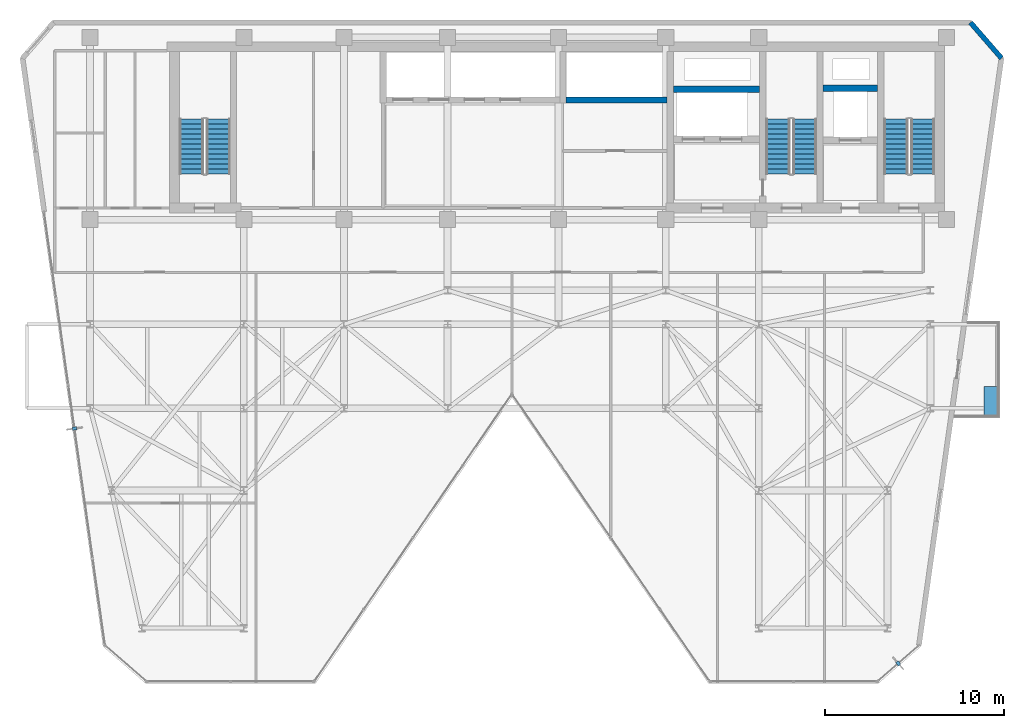
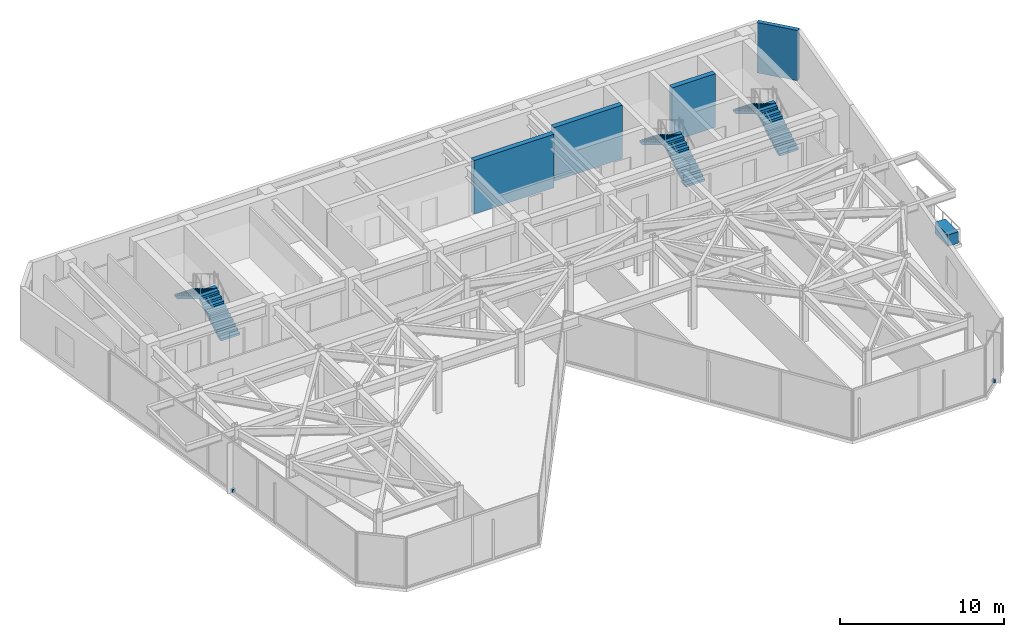
# One storey, part 24 of 26: 6 stair flights, 4 walls, 3 discrete accessories, 3 elements without a shape of their own.
"""IFC4 building model written with IfcOpenShell, lengths in metres."""

from ifc_helpers import new_model, si_unit, direction, frame, frame_2d, origin, origin_2d, place, context, subcontext, project, spatial, polyline, rectangle, outline, extrude, material, layer, layer_set, type_object, element, aggregate, save


model = new_model("IFC4")

# Units and contexts
model_context = context("Model", 3, precision=1e-05, world=origin(), true_north=direction((0.0, 1.0)))
body_context = subcontext(model_context, "Body", "Model", "MODEL_VIEW")
ifc_project = project(units=[si_unit("LENGTHUNIT", "METRE"), si_unit("AREAUNIT", "SQUARE_METRE"), si_unit("VOLUMEUNIT", "CUBIC_METRE"), si_unit("PLANEANGLEUNIT", "RADIAN"), si_unit("MASSUNIT", "GRAM", prefix="KILO")], contexts=[model_context])

# Site, building, storey
site_placement = place(None, origin())
site = spatial("IfcSite", under=ifc_project, at=site_placement, CompositionType="ELEMENT")
building_placement = place(site_placement, origin())
building = spatial("IfcBuilding", under=site, at=building_placement, Name="Kravanh Interchange Tower", CompositionType="ELEMENT")
storey_placement = place(building_placement, frame((0.0, 0.0, 172.5)))
storey = spatial("IfcBuildingStorey", under=building, at=storey_placement, Name="L41", CompositionType="ELEMENT", Elevation=172.5)

# Walls
ifc_material_1 = material(Name="Concrete C60/75", Category="concrete")
ifc_layer_1 = layer(ifc_material_1, 0.35009765625)
ifc_layer_set_1 = layer_set([ifc_layer_1], Name="Core Shear Wall Concrete C60/75 350mm")
wall_type_1 = type_object("IfcWallType", Name="Core Shear Wall Concrete C60/75 350mm", PredefinedType="SHEAR", material=ifc_layer_set_1)
wall_1_placement = place(storey_placement, frame((59.60009765625, 44.699951171875, 0.0), z_axis=(0.0, 0.0, 1.0), x_axis=(1.0, 0.0, 0.0)))
element("IfcWall", 1, at=wall_1_placement, inside=storey, type_object=wall_type_1, Name="L41 Service Lift Shaft North Wall", PredefinedType="SHEAR", context=body_context, shape_type="SweptSolid", body=[
    extrude(rectangle(XDim=3.0498046875, YDim=0.35009765625, at=frame_2d((1.52490234375, 0.0))), origin(), (0.0, 0.0, 1.0), 4.0),
])
wall_2_placement = place(storey_placement, frame((51.22509765625, 44.64990234375, 0.0), z_axis=(0.0, 0.0, 1.0), x_axis=(1.0, 0.0, 0.0)))
element("IfcWall", 2, at=wall_2_placement, inside=storey, type_object=wall_type_1, Name="L41 Fire Lift Shaft North Wall", PredefinedType="SHEAR", context=body_context, shape_type="SweptSolid", body=[
    extrude(rectangle(XDim=4.824951171875, YDim=0.35009765625, at=frame_2d((2.41259765625, 0.0))), origin(), (0.0, 0.0, 1.0), 4.0),
])
wall_3_placement = place(storey_placement, frame((45.22509765625, 44.050048828125, 0.0), z_axis=(0.0, 0.0, 1.0), x_axis=(1.0, 0.0, 0.0)))
element("IfcWall", 3, at=wall_3_placement, inside=storey, type_object=wall_type_1, Name="L41 High-Rise Lift Shaft South Wall", PredefinedType="SHEAR", context=body_context, shape_type="SweptSolid", body=[
    extrude(rectangle(XDim=5.64990234375, YDim=0.35009765625, at=frame_2d((2.824951171875, 0.0))), origin(), (0.0, 0.0, 1.0), 4.0),
])
ifc_material_2 = material(Name="Insulated Precast Concrete C40/50 with Bronze Cladding", Category="concrete")
ifc_layer_2 = layer(ifc_material_2, 0.280029296875)
ifc_layer_set_2 = layer_set([ifc_layer_2], Name="Exterior Insulated Concrete C40/50 Bronze Spandrel Wall 280mm")
wall_type_2 = type_object("IfcWallType", Name="Exterior Insulated Concrete C40/50 Bronze Spandrel Wall 280mm", PredefinedType="STANDARD", material=ifc_layer_set_2)
wall_4_placement = place(storey_placement, frame((67.84521484375, 48.3798828125, 0.0), z_axis=(0.0, 0.0, 1.0), x_axis=(0.656071351282, -0.754698868442, 0.0)))
element("IfcWall", 4, at=wall_4_placement, inside=storey, type_object=wall_type_2, Name="L41 Exterior Wall 4", PredefinedType="STANDARD", context=body_context, shape_type="SweptSolid", body=[
    extrude(rectangle(XDim=2.646240234375, YDim=0.280029296875, at=frame_2d((1.3232421875, 0.0))), origin(), (0.0, 0.0, 1.0), 3.7548828125),
])

# Stair, stair flights
ifc_material_3 = material(Name="Concrete C50/60", Category="concrete")
stair_type = type_object("IfcStairType", Name="Core Fire Exit Dogleg Stair Concrete C50/60", PredefinedType="HALF_TURN_STAIR", material=ifc_material_3)
stair_1_placement = place(storey_placement, origin())
stair_1 = element("IfcStair", 5, at=stair_1_placement, inside=storey, type_object=stair_type, Name="L41 Exit Stair ST1", PredefinedType="HALF_TURN_STAIR")
ifc_material_4 = material(Name="Precast Concrete C50/60", Category="concrete")
ifc_layer_3 = layer(ifc_material_4, 0.199951171875)
ifc_layer_set_3 = layer_set([ifc_layer_3], Name="Precast Concrete C50/60 Stair Flight 1350mm")
stair_flight_type = type_object("IfcStairFlightType", Name="Precast Concrete C50/60 Stair Flight 1350mm", PredefinedType="STRAIGHT", material=ifc_layer_set_3)
stair_flight_1_placement = place(storey_placement, frame((65.175048828125, 39.89990234375, 0.0), z_axis=(0.0, 0.0, 1.0), x_axis=(0.0, 1.0, 0.0)))
stair_flight_1 = element("IfcStairFlight", 6, at=stair_flight_1_placement, type_object=stair_flight_type, Name="ST1 flight 1", NumberOfRisers=12, NumberOfTreads=11, PredefinedType="STRAIGHT", RiserHeight=0.166666667, TreadLength=0.28, context=body_context, shape_type="SweptSolid", body=[
    extrude(outline(polyline([(0.0, 0.0), (0.0, 0.166748046875), (0.280029296875, 0.166748046875), (0.280029296875, 0.333251953125), (0.56005859375, 0.333251953125), (0.56005859375, 0.5), (0.840087890625, 0.5), (0.840087890625, 0.666748046875), (1.1201171875, 0.666748046875), (1.1201171875, 0.833251953125), (1.39990234375, 0.833251953125), (1.39990234375, 1.0), (1.679931640625, 1.0), (1.679931640625, 1.166748046875), (1.9599609375, 1.166748046875), (1.9599609375, 1.333251953125), (2.239990234375, 1.333251953125), (2.239990234375, 1.5), (2.52001953125, 1.5), (2.52001953125, 1.666748046875), (2.800048828125, 1.666748046875), (2.800048828125, 1.833251953125), (3.080078125, 1.833251953125), (3.080078125, 2.0), (3.080078125, 1.658935546875), (0.29296875, 0.0), (0.0, 0.0)])), frame((0.0, 0.675048828125, 0.0), z_axis=(0.0, -1.0, 0.0), x_axis=(1.0, 0.0, 0.0)), (0.0, 0.0, 1.0), 1.35009765625),
])
stair_flight_2_placement = place(storey_placement, frame((63.675048828125, 42.97998046875, 2.0), z_axis=(0.0, 0.0, 1.0), x_axis=(0.0, -1.0, 0.0)))
stair_flight_2 = element("IfcStairFlight", 7, at=stair_flight_2_placement, type_object=stair_flight_type, Name="ST1 flight 2", NumberOfRisers=12, NumberOfTreads=11, PredefinedType="STRAIGHT", RiserHeight=0.166666667, TreadLength=0.28, context=body_context, shape_type="SweptSolid", body=[
    extrude(outline(polyline([(0.0, 0.0), (0.0, 0.166748046875), (0.280029296875, 0.166748046875), (0.280029296875, 0.333251953125), (0.56005859375, 0.333251953125), (0.56005859375, 0.5), (0.840087890625, 0.5), (0.840087890625, 0.666748046875), (1.1201171875, 0.666748046875), (1.1201171875, 0.833251953125), (1.39990234375, 0.833251953125), (1.39990234375, 1.0), (1.679931640625, 1.0), (1.679931640625, 1.166748046875), (1.9599609375, 1.166748046875), (1.9599609375, 1.333251953125), (2.239990234375, 1.333251953125), (2.239990234375, 1.5), (2.52001953125, 1.5), (2.52001953125, 1.666748046875), (2.800048828125, 1.666748046875), (2.800048828125, 1.833251953125), (3.080078125, 1.833251953125), (3.080078125, 2.0), (3.080078125, 1.658935546875), (0.29296875, 0.0), (0.0, 0.0)])), frame((0.0, 0.675048828125, 0.0), z_axis=(0.0, -1.0, 0.0), x_axis=(1.0, 0.0, 0.0)), (0.0, 0.0, 1.0), 1.35009765625),
])
aggregate(stair_1, [stair_flight_1, stair_flight_2])

stair_2_placement = place(storey_placement, origin())
stair_2 = element("IfcStair", 8, at=stair_2_placement, inside=storey, type_object=stair_type, Name="L41 Exit Stair ST2", PredefinedType="HALF_TURN_STAIR")
stair_flight_3_placement = place(storey_placement, frame((58.574951171875, 39.89990234375, 0.0), z_axis=(0.0, 0.0, 1.0), x_axis=(0.0, 1.0, 0.0)))
stair_flight_3 = element("IfcStairFlight", 9, at=stair_flight_3_placement, type_object=stair_flight_type, Name="ST2 flight 1", NumberOfRisers=12, NumberOfTreads=11, PredefinedType="STRAIGHT", RiserHeight=0.166666667, TreadLength=0.28, context=body_context, shape_type="SweptSolid", body=[
    extrude(outline(polyline([(0.0, 0.0), (0.0, 0.166748046875), (0.280029296875, 0.166748046875), (0.280029296875, 0.333251953125), (0.56005859375, 0.333251953125), (0.56005859375, 0.5), (0.840087890625, 0.5), (0.840087890625, 0.666748046875), (1.1201171875, 0.666748046875), (1.1201171875, 0.833251953125), (1.39990234375, 0.833251953125), (1.39990234375, 1.0), (1.679931640625, 1.0), (1.679931640625, 1.166748046875), (1.9599609375, 1.166748046875), (1.9599609375, 1.333251953125), (2.239990234375, 1.333251953125), (2.239990234375, 1.5), (2.52001953125, 1.5), (2.52001953125, 1.666748046875), (2.800048828125, 1.666748046875), (2.800048828125, 1.833251953125), (3.080078125, 1.833251953125), (3.080078125, 2.0), (3.080078125, 1.658935546875), (0.29296875, 0.0), (0.0, 0.0)])), frame((0.0, 0.675048828125, 0.0), z_axis=(0.0, -1.0, 0.0), x_axis=(1.0, 0.0, 0.0)), (0.0, 0.0, 1.0), 1.35009765625),
])
stair_flight_4_placement = place(storey_placement, frame((57.074951171875, 42.97998046875, 2.0), z_axis=(0.0, 0.0, 1.0), x_axis=(0.0, -1.0, 0.0)))
stair_flight_4 = element("IfcStairFlight", 10, at=stair_flight_4_placement, type_object=stair_flight_type, Name="ST2 flight 2", NumberOfRisers=12, NumberOfTreads=11, PredefinedType="STRAIGHT", RiserHeight=0.166666667, TreadLength=0.28, context=body_context, shape_type="SweptSolid", body=[
    extrude(outline(polyline([(0.0, 0.0), (0.0, 0.166748046875), (0.280029296875, 0.166748046875), (0.280029296875, 0.333251953125), (0.56005859375, 0.333251953125), (0.56005859375, 0.5), (0.840087890625, 0.5), (0.840087890625, 0.666748046875), (1.1201171875, 0.666748046875), (1.1201171875, 0.833251953125), (1.39990234375, 0.833251953125), (1.39990234375, 1.0), (1.679931640625, 1.0), (1.679931640625, 1.166748046875), (1.9599609375, 1.166748046875), (1.9599609375, 1.333251953125), (2.239990234375, 1.333251953125), (2.239990234375, 1.5), (2.52001953125, 1.5), (2.52001953125, 1.666748046875), (2.800048828125, 1.666748046875), (2.800048828125, 1.833251953125), (3.080078125, 1.833251953125), (3.080078125, 2.0), (3.080078125, 1.658935546875), (0.29296875, 0.0), (0.0, 0.0)])), frame((0.0, 0.675048828125, 0.0), z_axis=(0.0, -1.0, 0.0), x_axis=(1.0, 0.0, 0.0)), (0.0, 0.0, 1.0), 1.35009765625),
])
aggregate(stair_2, [stair_flight_3, stair_flight_4])

stair_3_placement = place(storey_placement, origin())
stair_3 = element("IfcStair", 11, at=stair_3_placement, inside=storey, type_object=stair_type, Name="L41 Exit Stair ST3", PredefinedType="HALF_TURN_STAIR")
stair_flight_5_placement = place(storey_placement, frame((25.77490234375, 39.89990234375, 0.0), z_axis=(0.0, 0.0, 1.0), x_axis=(0.0, 1.0, 0.0)))
stair_flight_5 = element("IfcStairFlight", 12, at=stair_flight_5_placement, type_object=stair_flight_type, Name="ST3 flight 1", NumberOfRisers=12, NumberOfTreads=11, PredefinedType="STRAIGHT", RiserHeight=0.166666667, TreadLength=0.28, context=body_context, shape_type="SweptSolid", body=[
    extrude(outline(polyline([(0.0, 0.0), (0.0, 0.166748046875), (0.280029296875, 0.166748046875), (0.280029296875, 0.333251953125), (0.56005859375, 0.333251953125), (0.56005859375, 0.5), (0.840087890625, 0.5), (0.840087890625, 0.666748046875), (1.1201171875, 0.666748046875), (1.1201171875, 0.833251953125), (1.39990234375, 0.833251953125), (1.39990234375, 1.0), (1.679931640625, 1.0), (1.679931640625, 1.166748046875), (1.9599609375, 1.166748046875), (1.9599609375, 1.333251953125), (2.239990234375, 1.333251953125), (2.239990234375, 1.5), (2.52001953125, 1.5), (2.52001953125, 1.666748046875), (2.800048828125, 1.666748046875), (2.800048828125, 1.833251953125), (3.080078125, 1.833251953125), (3.080078125, 2.0), (3.080078125, 1.658935546875), (0.29296875, 0.0), (0.0, 0.0)])), frame((0.0, 0.675048828125, 0.0), z_axis=(0.0, -1.0, 0.0), x_axis=(1.0, 0.0, 0.0)), (0.0, 0.0, 1.0), 1.35009765625),
])
stair_flight_6_placement = place(storey_placement, frame((24.27490234375, 42.97998046875, 2.0), z_axis=(0.0, 0.0, 1.0), x_axis=(0.0, -1.0, 0.0)))
stair_flight_6 = element("IfcStairFlight", 13, at=stair_flight_6_placement, type_object=stair_flight_type, Name="ST3 flight 2", NumberOfRisers=12, NumberOfTreads=11, PredefinedType="STRAIGHT", RiserHeight=0.166666667, TreadLength=0.28, context=body_context, shape_type="SweptSolid", body=[
    extrude(outline(polyline([(0.0, 0.0), (0.0, 0.166748046875), (0.280029296875, 0.166748046875), (0.280029296875, 0.333251953125), (0.56005859375, 0.333251953125), (0.56005859375, 0.5), (0.840087890625, 0.5), (0.840087890625, 0.666748046875), (1.1201171875, 0.666748046875), (1.1201171875, 0.833251953125), (1.39990234375, 0.833251953125), (1.39990234375, 1.0), (1.679931640625, 1.0), (1.679931640625, 1.166748046875), (1.9599609375, 1.166748046875), (1.9599609375, 1.333251953125), (2.239990234375, 1.333251953125), (2.239990234375, 1.5), (2.52001953125, 1.5), (2.52001953125, 1.666748046875), (2.800048828125, 1.666748046875), (2.800048828125, 1.833251953125), (3.080078125, 1.833251953125), (3.080078125, 2.0), (3.080078125, 1.658935546875), (0.29296875, 0.0), (0.0, 0.0)])), frame((0.0, 0.675048828125, 0.0), z_axis=(0.0, -1.0, 0.0), x_axis=(1.0, 0.0, 0.0)), (0.0, 0.0, 1.0), 1.35009765625),
])
aggregate(stair_3, [stair_flight_5, stair_flight_6])

# Discrete accessories
ifc_material_5 = material(Name="Stainless Steel 316", Category="steel")
discrete_accessory_type_1 = type_object("IfcDiscreteAccessoryType", Name="Solar Fin Curtain-Wall Mounting Bracket Stainless 316", PredefinedType="BRACKET", material=ifc_material_5)
for number, where, z_axis, x_axis, name in (
    (14, (17.729736328125, 25.67041015625, 0.0), (0.0, 0.0, 1.0), (-0.990268182791, -0.139172289451, 0.0), "L41 Solar Fin Mounting Bracket 1"),
    (15, (63.80322265625, 12.530517578125, 0.0), (0.0, 0.0, 1.0), (0.656059988016, -0.754708746554, 0.0), "L41 Solar Fin Mounting Bracket 2"),
):
    element("IfcDiscreteAccessory", number, at=place(storey_placement, frame(where, z_axis=z_axis, x_axis=x_axis)), inside=storey, type_object=discrete_accessory_type_1, Name=name, PredefinedType="BRACKET", context=body_context, shape_type="SweptSolid", body=[
        extrude(rectangle(XDim=0.239990234375, YDim=0.179931640625, at=origin_2d()), origin(), (0.0, 0.0, 1.0), 0.219970703125),
    ])
ifc_material_6 = material(Name="Architectural GRC Concrete C40/50 with Root Barrier", Category="concrete")
discrete_accessory_type_2 = type_object("IfcDiscreteAccessoryType", Name="Structural Balcony Tree Planter Box Concrete C40/50 1600x750x850", PredefinedType="USERDEFINED", material=ifc_material_6)
discrete_accessory_placement = place(storey_placement, frame((68.965087890625, 27.219970703125, 0.0), z_axis=(0.0, 0.0, 1.0), x_axis=(1.0, 0.0, 0.0)))
element("IfcDiscreteAccessory", 16, at=discrete_accessory_placement, inside=storey, type_object=discrete_accessory_type_2, Name="L41 E Balcony TREE PLANTER", ObjectType="PLANTER", PredefinedType="USERDEFINED", context=body_context, shape_type="SweptSolid", body=[
    extrude(rectangle(XDim=0.75, YDim=1.60009765625, at=origin_2d()), origin(), (0.0, 0.0, 1.0), 0.85009765625),
])

save(model, "model.ifc")
